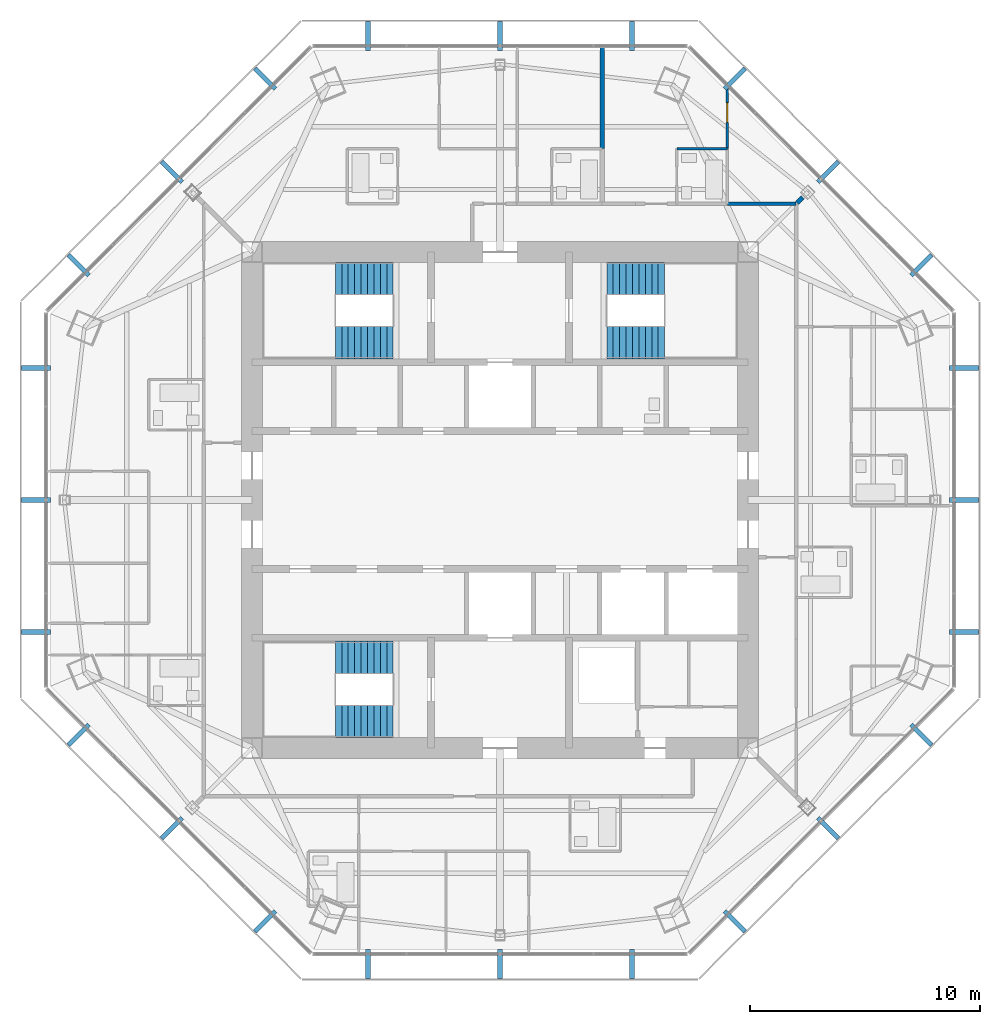
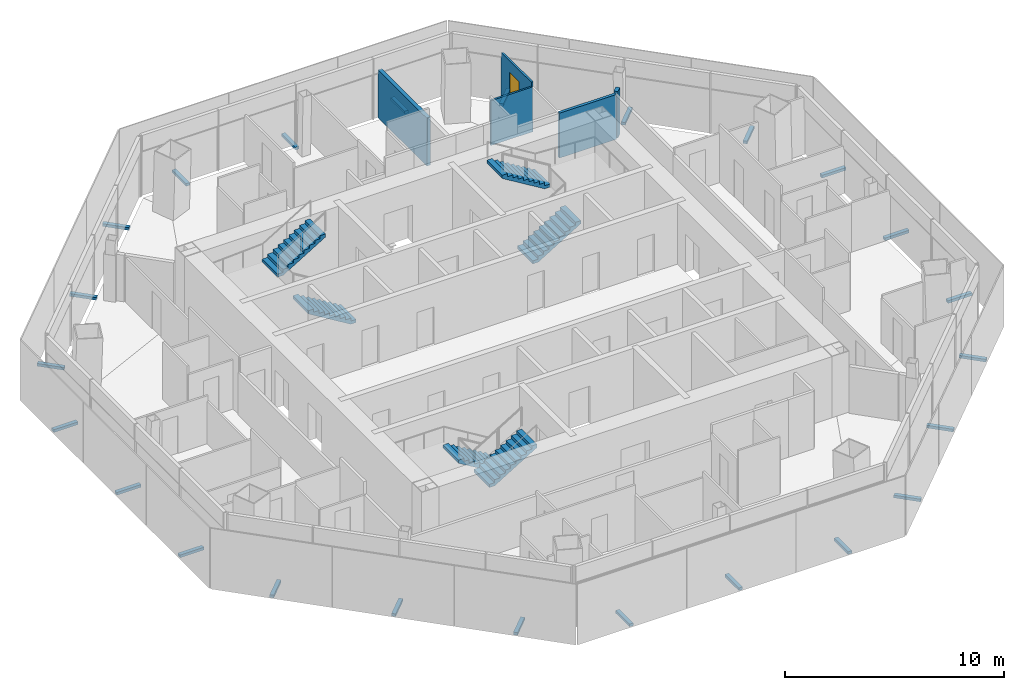
# One storey, part 12 of 15: 24 discrete accessories, 6 stair flights, 5 walls, 1 door, 1 opening, 3 elements without a shape of their own.
"""IFC4 building model written with IfcOpenShell, lengths in metres."""

from ifc_helpers import new_model, si_unit, direction, frame, frame_2d, origin, origin_2d, place, context, subcontext, project, spatial, polyline, rectangle, outline, extrude, source, transform, mapped, material, layer, layer_set, type_object, type_shapes, element, fill, aggregate, save


model = new_model("IFC4")

# Units and contexts
model_context = context("Model", 3, precision=1e-05, world=origin(), true_north=direction((0.0, 1.0)))
body_context = subcontext(model_context, "Body", "Model", "MODEL_VIEW")
ifc_project = project(units=[si_unit("LENGTHUNIT", "METRE"), si_unit("AREAUNIT", "SQUARE_METRE"), si_unit("VOLUMEUNIT", "CUBIC_METRE"), si_unit("PLANEANGLEUNIT", "RADIAN"), si_unit("MASSUNIT", "GRAM", prefix="KILO")], contexts=[model_context])

# Site, building, storey
site_placement = place(None, origin())
site = spatial("IfcSite", under=ifc_project, at=site_placement, CompositionType="ELEMENT")
building_placement = place(site_placement, origin())
building = spatial("IfcBuilding", under=site, at=building_placement, Name="Mashrafa Tower", CompositionType="ELEMENT")
storey_placement = place(building_placement, frame((0.0, 0.0, 291.199951171875)))
storey = spatial("IfcBuildingStorey", under=building, at=storey_placement, Name="L71", CompositionType="ELEMENT", Elevation=291.199951171875)

# Walls
ifc_material_1 = material(Name="Gypsum board on steel studs", Category="steel")
ifc_layer_1 = layer(ifc_material_1, 0.199951171875)
ifc_layer_set_1 = layer_set([ifc_layer_1], Name="Acoustic partition 200 1 hr")
wall_type_1 = type_object("IfcWallType", Name="Acoustic partition 200 1 hr", PredefinedType="PARTITIONING", material=ifc_layer_set_1)
wall_1_placement = place(storey_placement, frame((13.17822265625, 13.17822265625, 0.0), z_axis=(0.0, 0.0, 1.0), x_axis=(-0.707106781187, -0.707106781187, 0.0)))
element("IfcWall", 1, at=wall_1_placement, inside=storey, type_object=wall_type_1, Name="Acoustic wall L71-046", PredefinedType="PARTITIONING", context=body_context, shape_type="SweptSolid", body=[
    extrude(rectangle(XDim=0.34033203125, YDim=0.199951171875, at=frame_2d((0.170166015625, 0.0))), origin(), (0.0, 0.0, 1.0), 2.590576171875),
])
wall_2_placement = place(storey_placement, frame((4.449951171875, 19.759033203125, 0.0), z_axis=(0.0, 0.0, 1.0), x_axis=(0.0, -1.0, 0.0)))
element("IfcWall", 2, at=wall_2_placement, inside=storey, type_object=wall_type_1, Name="Acoustic wall L71-054", PredefinedType="PARTITIONING", context=body_context, shape_type="SweptSolid", body=[
    extrude(rectangle(XDim=4.458984375, YDim=0.199951171875, at=frame_2d((2.2294921875, 0.0))), origin(), (0.0, 0.0, 1.0), 2.661865234375),
])
ifc_material_2 = material(Name="Gypsum board on steel studs", Category="steel")
ifc_layer_2 = layer(ifc_material_2, 0.14990234375)
ifc_layer_set_2 = layer_set([ifc_layer_2], Name="Corridor partition 150 1 hr")
wall_type_2 = type_object("IfcWallType", Name="Corridor partition 150 1 hr", PredefinedType="PARTITIONING", material=ifc_layer_set_2)
wall_3_placement = place(storey_placement, frame((12.89990234375, 12.89990234375, 0.0), z_axis=(0.0, 0.0, 1.0), x_axis=(-1.0, 0.0, 0.0)))
element("IfcWall", 3, at=wall_3_placement, inside=storey, type_object=wall_type_2, Name="Corridor wall L71-004", PredefinedType="PARTITIONING", context=body_context, shape_type="SweptSolid", body=[
    extrude(rectangle(XDim=3.0009765625, YDim=0.14990234375, at=frame_2d((1.50048828125, 0.0))), origin(), (0.0, 0.0, 1.0), 2.49658203125),
])

# Wall, opening, door
ifc_material_3 = material(Name="Gypsum board on steel studs", Category="steel")
ifc_layer_3 = layer(ifc_material_3, 0.10009765625)
ifc_layer_set_3 = layer_set([ifc_layer_3], Name="Partition 100")
wall_type_3 = type_object("IfcWallType", Name="Partition 100", PredefinedType="PARTITIONING", material=ifc_layer_set_3)
wall_4_placement = place(storey_placement, frame((9.89990234375, 18.047119140625, 0.0), z_axis=(0.0, 0.0, 1.0), x_axis=(0.0, -1.0, 0.0)))
wall_4 = element("IfcWall", 4, at=wall_4_placement, inside=storey, type_object=wall_type_3, Name="Partition wall L71-050", PredefinedType="PARTITIONING", context=body_context, shape_type="SweptSolid", body=[
    extrude(rectangle(XDim=2.748046875, YDim=0.10009765625, at=frame_2d((1.3740234375, 0.0))), origin(), (0.0, 0.0, 1.0), 2.740478515625),
])
opening_placement = place(wall_4_placement, frame((0.752197265625, 0.0, 0.0)))
opening = element("IfcOpeningElement", 5, at=opening_placement, cuts=wall_4, Name="Opening 71.009", PredefinedType="OPENING", context=body_context, shape_type="SweptSolid", body=[
    extrude(rectangle(XDim=0.85009765625, YDim=2.10009765625, at=frame_2d((0.425048828125, 1.050048828125))), frame((0.0, 0.06005859375, 0.0), z_axis=(0.0, -1.0, 0.0), x_axis=(1.0, 0.0, 0.0)), (0.0, 0.0, 1.0), 0.1201171875),
])
ifc_material_4 = material(Name="Timber door", Category="wood")
door_type = type_object("IfcDoorType", Name="Bedroom door 850 x 2100", OperationType="USERDEFINED", PredefinedType="DOOR", material=ifc_material_4)
door_placement = place(opening_placement, origin())
door = element("IfcDoor", 6, at=door_placement, inside=storey, type_object=door_type, Name="Apartment 7102 Bedroom 1 door", OperationType="SINGLE_SWING_LEFT", OverallHeight=2.10009765625, OverallWidth=0.85009765625, PredefinedType="DOOR", context=body_context, shape_type="SweptSolid", body=[
    extrude(rectangle(XDim=0.85009765625, YDim=2.10009765625, at=frame_2d((0.425048828125, 1.050048828125))), frame((0.0, 0.02490234375, 0.0), z_axis=(0.0, -1.0, 0.0), x_axis=(1.0, 0.0, 0.0)), (0.0, 0.0, 1.0), 0.050048828125),
])
fill(opening, door)

# Wall
wall_5_placement = place(storey_placement, frame((9.89990234375, 15.300048828125, 0.0), z_axis=(0.0, 0.0, 1.0), x_axis=(-1.0, 0.0, 0.0)))
element("IfcWall", 7, at=wall_5_placement, inside=storey, type_object=wall_type_3, Name="Partition wall L71-051", PredefinedType="PARTITIONING", context=body_context, shape_type="SweptSolid", body=[
    extrude(rectangle(XDim=2.199951171875, YDim=0.10009765625, at=frame_2d((1.10009765625, 0.0))), origin(), (0.0, 0.0, 1.0), 2.49658203125),
])

# Stair, stair flights
ifc_material_5 = material(Name="Exit stair 1400")
stair_type = type_object("IfcStairType", Name="Exit stair 1400", PredefinedType="HALF_TURN_STAIR", material=ifc_material_5)
stair_1_placement = place(storey_placement, origin())
stair_1 = element("IfcStair", 8, at=stair_1_placement, inside=storey, type_object=stair_type, Name="Stair S1 L71", PredefinedType="HALF_TURN_STAIR")
ifc_material_6 = material(Name="Concrete C32/40", Category="concrete")
stair_flight_type = type_object("IfcStairFlightType", Name="Stair flight 1400", PredefinedType="STRAIGHT", material=ifc_material_6)
stair_flight_1_placement = place(storey_placement, frame((-4.64990234375, 6.85009765625, 0.0), z_axis=(0.0, 0.0, 1.0), x_axis=(-1.0, 0.0, 0.0)))
stair_flight_1 = element("IfcStairFlight", 9, at=stair_flight_1_placement, type_object=stair_flight_type, Name="S1 flight 1", NumberOfRisers=10, NumberOfTreads=9, PredefinedType="STRAIGHT", RiserHeight=0.17, TreadLength=0.28, context=body_context, shape_type="SweptSolid", body=[
    extrude(outline(polyline([(0.0, 0.0), (0.0, 0.169921875), (0.280029296875, 0.169921875), (0.280029296875, 0.340087890625), (0.56005859375, 0.340087890625), (0.56005859375, 0.510009765625), (0.840087890625, 0.510009765625), (0.840087890625, 0.679931640625), (1.1201171875, 0.679931640625), (1.1201171875, 0.85009765625), (1.39990234375, 0.85009765625), (1.39990234375, 1.02001953125), (1.679931640625, 1.02001953125), (1.679931640625, 1.18994140625), (1.9599609375, 1.18994140625), (1.9599609375, 1.360107421875), (2.239990234375, 1.360107421875), (2.239990234375, 1.530029296875), (2.52001953125, 1.530029296875), (2.52001953125, 1.699951171875), (2.52001953125, 1.354736328125), (0.288818359375, 0.0), (0.0, 0.0)])), frame((0.0, 0.699951171875, 0.0), z_axis=(0.0, -1.0, 0.0), x_axis=(1.0, 0.0, 0.0)), (0.0, 0.0, 1.0), 1.39990234375),
])
stair_flight_2_placement = place(storey_placement, frame((-7.169921875, 9.64990234375, 1.699951171875), z_axis=(0.0, 0.0, 1.0), x_axis=(1.0, 0.0, 0.0)))
stair_flight_2 = element("IfcStairFlight", 10, at=stair_flight_2_placement, type_object=stair_flight_type, Name="S1 flight 2", NumberOfRisers=10, NumberOfTreads=9, PredefinedType="STRAIGHT", RiserHeight=0.17, TreadLength=0.28, context=body_context, shape_type="SweptSolid", body=[
    extrude(outline(polyline([(0.0, 0.0), (0.0, 0.169921875), (0.280029296875, 0.169921875), (0.280029296875, 0.340087890625), (0.56005859375, 0.340087890625), (0.56005859375, 0.510009765625), (0.840087890625, 0.510009765625), (0.840087890625, 0.679931640625), (1.1201171875, 0.679931640625), (1.1201171875, 0.85009765625), (1.39990234375, 0.85009765625), (1.39990234375, 1.02001953125), (1.679931640625, 1.02001953125), (1.679931640625, 1.18994140625), (1.9599609375, 1.18994140625), (1.9599609375, 1.360107421875), (2.239990234375, 1.360107421875), (2.239990234375, 1.530029296875), (2.52001953125, 1.530029296875), (2.52001953125, 1.699951171875), (2.52001953125, 1.354736328125), (0.288818359375, 0.0), (0.0, 0.0)])), frame((0.0, 0.699951171875, 0.0), z_axis=(0.0, -1.0, 0.0), x_axis=(1.0, 0.0, 0.0)), (0.0, 0.0, 1.0), 1.39990234375),
])
aggregate(stair_1, [stair_flight_1, stair_flight_2])

stair_2_placement = place(storey_placement, origin())
stair_2 = element("IfcStair", 11, at=stair_2_placement, inside=storey, type_object=stair_type, Name="Stair S2 L71", PredefinedType="HALF_TURN_STAIR")
stair_flight_3_placement = place(storey_placement, frame((4.64990234375, 6.85009765625, 0.0), z_axis=(0.0, 0.0, 1.0), x_axis=(1.0, 0.0, 0.0)))
stair_flight_3 = element("IfcStairFlight", 12, at=stair_flight_3_placement, type_object=stair_flight_type, Name="S2 flight 1", NumberOfRisers=10, NumberOfTreads=9, PredefinedType="STRAIGHT", RiserHeight=0.17, TreadLength=0.28, context=body_context, shape_type="SweptSolid", body=[
    extrude(outline(polyline([(0.0, 0.0), (0.0, 0.169921875), (0.280029296875, 0.169921875), (0.280029296875, 0.340087890625), (0.56005859375, 0.340087890625), (0.56005859375, 0.510009765625), (0.840087890625, 0.510009765625), (0.840087890625, 0.679931640625), (1.1201171875, 0.679931640625), (1.1201171875, 0.85009765625), (1.39990234375, 0.85009765625), (1.39990234375, 1.02001953125), (1.679931640625, 1.02001953125), (1.679931640625, 1.18994140625), (1.9599609375, 1.18994140625), (1.9599609375, 1.360107421875), (2.239990234375, 1.360107421875), (2.239990234375, 1.530029296875), (2.52001953125, 1.530029296875), (2.52001953125, 1.699951171875), (2.52001953125, 1.354736328125), (0.288818359375, 0.0), (0.0, 0.0)])), frame((0.0, 0.699951171875, 0.0), z_axis=(0.0, -1.0, 0.0), x_axis=(1.0, 0.0, 0.0)), (0.0, 0.0, 1.0), 1.39990234375),
])
stair_flight_4_placement = place(storey_placement, frame((7.169921875, 9.64990234375, 1.699951171875), z_axis=(0.0, 0.0, 1.0), x_axis=(-1.0, 0.0, 0.0)))
stair_flight_4 = element("IfcStairFlight", 13, at=stair_flight_4_placement, type_object=stair_flight_type, Name="S2 flight 2", NumberOfRisers=10, NumberOfTreads=9, PredefinedType="STRAIGHT", RiserHeight=0.17, TreadLength=0.28, context=body_context, shape_type="SweptSolid", body=[
    extrude(outline(polyline([(0.0, 0.0), (0.0, 0.169921875), (0.280029296875, 0.169921875), (0.280029296875, 0.340087890625), (0.56005859375, 0.340087890625), (0.56005859375, 0.510009765625), (0.840087890625, 0.510009765625), (0.840087890625, 0.679931640625), (1.1201171875, 0.679931640625), (1.1201171875, 0.85009765625), (1.39990234375, 0.85009765625), (1.39990234375, 1.02001953125), (1.679931640625, 1.02001953125), (1.679931640625, 1.18994140625), (1.9599609375, 1.18994140625), (1.9599609375, 1.360107421875), (2.239990234375, 1.360107421875), (2.239990234375, 1.530029296875), (2.52001953125, 1.530029296875), (2.52001953125, 1.699951171875), (2.52001953125, 1.354736328125), (0.288818359375, 0.0), (0.0, 0.0)])), frame((0.0, 0.699951171875, 0.0), z_axis=(0.0, -1.0, 0.0), x_axis=(1.0, 0.0, 0.0)), (0.0, 0.0, 1.0), 1.39990234375),
])
aggregate(stair_2, [stair_flight_3, stair_flight_4])

stair_3_placement = place(storey_placement, origin())
stair_3 = element("IfcStair", 14, at=stair_3_placement, inside=storey, type_object=stair_type, Name="Stair S3 L71", PredefinedType="HALF_TURN_STAIR")
stair_flight_5_placement = place(storey_placement, frame((-4.64990234375, -6.85009765625, 0.0), z_axis=(0.0, 0.0, 1.0), x_axis=(-1.0, 0.0, 0.0)))
stair_flight_5 = element("IfcStairFlight", 15, at=stair_flight_5_placement, type_object=stair_flight_type, Name="S3 flight 1", NumberOfRisers=10, NumberOfTreads=9, PredefinedType="STRAIGHT", RiserHeight=0.17, TreadLength=0.28, context=body_context, shape_type="SweptSolid", body=[
    extrude(outline(polyline([(0.0, 0.0), (0.0, 0.169921875), (0.280029296875, 0.169921875), (0.280029296875, 0.340087890625), (0.56005859375, 0.340087890625), (0.56005859375, 0.510009765625), (0.840087890625, 0.510009765625), (0.840087890625, 0.679931640625), (1.1201171875, 0.679931640625), (1.1201171875, 0.85009765625), (1.39990234375, 0.85009765625), (1.39990234375, 1.02001953125), (1.679931640625, 1.02001953125), (1.679931640625, 1.18994140625), (1.9599609375, 1.18994140625), (1.9599609375, 1.360107421875), (2.239990234375, 1.360107421875), (2.239990234375, 1.530029296875), (2.52001953125, 1.530029296875), (2.52001953125, 1.699951171875), (2.52001953125, 1.354736328125), (0.288818359375, 0.0), (0.0, 0.0)])), frame((0.0, 0.699951171875, 0.0), z_axis=(0.0, -1.0, 0.0), x_axis=(1.0, 0.0, 0.0)), (0.0, 0.0, 1.0), 1.39990234375),
])
stair_flight_6_placement = place(storey_placement, frame((-7.169921875, -9.64990234375, 1.699951171875), z_axis=(0.0, 0.0, 1.0), x_axis=(1.0, 0.0, 0.0)))
stair_flight_6 = element("IfcStairFlight", 16, at=stair_flight_6_placement, type_object=stair_flight_type, Name="S3 flight 2", NumberOfRisers=10, NumberOfTreads=9, PredefinedType="STRAIGHT", RiserHeight=0.17, TreadLength=0.28, context=body_context, shape_type="SweptSolid", body=[
    extrude(outline(polyline([(0.0, 0.0), (0.0, 0.169921875), (0.280029296875, 0.169921875), (0.280029296875, 0.340087890625), (0.56005859375, 0.340087890625), (0.56005859375, 0.510009765625), (0.840087890625, 0.510009765625), (0.840087890625, 0.679931640625), (1.1201171875, 0.679931640625), (1.1201171875, 0.85009765625), (1.39990234375, 0.85009765625), (1.39990234375, 1.02001953125), (1.679931640625, 1.02001953125), (1.679931640625, 1.18994140625), (1.9599609375, 1.18994140625), (1.9599609375, 1.360107421875), (2.239990234375, 1.360107421875), (2.239990234375, 1.530029296875), (2.52001953125, 1.530029296875), (2.52001953125, 1.699951171875), (2.52001953125, 1.354736328125), (0.288818359375, 0.0), (0.0, 0.0)])), frame((0.0, 0.699951171875, 0.0), z_axis=(0.0, -1.0, 0.0), x_axis=(1.0, 0.0, 0.0)), (0.0, 0.0, 1.0), 1.39990234375),
])
aggregate(stair_3, [stair_flight_5, stair_flight_6])

# Discrete accessories
ifc_material_7 = material(Name="Stainless steel screen bracket", Category="steel")
discrete_accessory_type = type_object("IfcDiscreteAccessoryType", Name="Screen support bracket 200 x 150", PredefinedType="BRACKET", material=ifc_material_7)
shared_shape = source(origin(), body_context, "Body", "SweptSolid", [
    extrude(rectangle(XDim=0.199951171875, YDim=1.27001953125, at=origin_2d()), origin(), (0.0, 0.0, 1.0), 0.14990234375),
])
type_shapes(discrete_accessory_type, [shared_shape])
for number, where, z_axis, x_axis, name in (
    (17, (20.212158203125, -5.75, -0.14990234375), (0.0, 0.0, 1.0), (0.0, 1.0, 0.0), "Screen support bracket L71 east 1"),
    (18, (20.212158203125, 0.0, -0.14990234375), (0.0, 0.0, 1.0), (0.0, 1.0, 0.0), "Screen support bracket L71 east 2"),
    (19, (20.212158203125, 5.75, -0.14990234375), (0.0, 0.0, 1.0), (0.0, 1.0, 0.0), "Screen support bracket L71 east 3"),
    (20, (18.358154296875, 10.22607421875, -0.14990234375), (0.0, 0.0, 1.0), (-0.707106781187, 0.707106781187, 0.0), "Screen support bracket L71 north-east 1"),
    (21, (14.2919921875, 14.2919921875, -0.14990234375), (0.0, 0.0, 1.0), (-0.707106781187, 0.707106781187, 0.0), "Screen support bracket L71 north-east 2"),
    (22, (10.22607421875, 18.358154296875, -0.14990234375), (0.0, 0.0, 1.0), (-0.707106781187, 0.707106781187, 0.0), "Screen support bracket L71 north-east 3"),
    (23, (5.75, 20.212158203125, -0.14990234375), (0.0, 0.0, 1.0), (-1.0, 0.0, 0.0), "Screen support bracket L71 north 1"),
    (24, (0.0, 20.212158203125, -0.14990234375), (0.0, 0.0, 1.0), (-1.0, 0.0, 0.0), "Screen support bracket L71 north 2"),
    (25, (-5.75, 20.212158203125, -0.14990234375), (0.0, 0.0, 1.0), (-1.0, 0.0, 0.0), "Screen support bracket L71 north 3"),
    (26, (-10.22607421875, 18.358154296875, -0.14990234375), (0.0, 0.0, 1.0), (-0.707106781187, -0.707106781187, 0.0), "Screen support bracket L71 north-west 1"),
    (27, (-14.2919921875, 14.2919921875, -0.14990234375), (0.0, 0.0, 1.0), (-0.707106781187, -0.707106781187, 0.0), "Screen support bracket L71 north-west 2"),
    (28, (-18.358154296875, 10.22607421875, -0.14990234375), (0.0, 0.0, 1.0), (-0.707106781187, -0.707106781187, 0.0), "Screen support bracket L71 north-west 3"),
    (29, (-20.212158203125, 5.75, -0.14990234375), (0.0, 0.0, 1.0), (0.0, -1.0, 0.0), "Screen support bracket L71 west 1"),
    (30, (-20.212158203125, 0.0, -0.14990234375), (0.0, 0.0, 1.0), (0.0, -1.0, 0.0), "Screen support bracket L71 west 2"),
    (31, (-20.212158203125, -5.75, -0.14990234375), (0.0, 0.0, 1.0), (0.0, -1.0, 0.0), "Screen support bracket L71 west 3"),
    (32, (-18.358154296875, -10.22607421875, -0.14990234375), (0.0, 0.0, 1.0), (0.707106781187, -0.707106781187, 0.0), "Screen support bracket L71 south-west 1"),
    (33, (-14.2919921875, -14.2919921875, -0.14990234375), (0.0, 0.0, 1.0), (0.707106781187, -0.707106781187, 0.0), "Screen support bracket L71 south-west 2"),
    (34, (-10.22607421875, -18.358154296875, -0.14990234375), (0.0, 0.0, 1.0), (0.707106781187, -0.707106781187, 0.0), "Screen support bracket L71 south-west 3"),
    (35, (-5.75, -20.212158203125, -0.14990234375), (0.0, 0.0, 1.0), (1.0, 0.0, 0.0), "Screen support bracket L71 south 1"),
    (36, (0.0, -20.212158203125, -0.14990234375), (0.0, 0.0, 1.0), (1.0, 0.0, 0.0), "Screen support bracket L71 south 2"),
    (37, (5.75, -20.212158203125, -0.14990234375), (0.0, 0.0, 1.0), (1.0, 0.0, 0.0), "Screen support bracket L71 south 3"),
    (38, (10.22607421875, -18.358154296875, -0.14990234375), (0.0, 0.0, 1.0), (0.707106781187, 0.707106781187, 0.0), "Screen support bracket L71 south-east 1"),
    (39, (14.2919921875, -14.2919921875, -0.14990234375), (0.0, 0.0, 1.0), (0.707106781187, 0.707106781187, 0.0), "Screen support bracket L71 south-east 2"),
    (40, (18.358154296875, -10.22607421875, -0.14990234375), (0.0, 0.0, 1.0), (0.707106781187, 0.707106781187, 0.0), "Screen support bracket L71 south-east 3"),
):
    element("IfcDiscreteAccessory", number, at=place(storey_placement, frame(where, z_axis=z_axis, x_axis=x_axis)), inside=storey, type_object=discrete_accessory_type, Name=name, PredefinedType="BRACKET", context=body_context, shape_type="MappedRepresentation", body=[
        mapped(shared_shape, transform((0.0, 0.0, 0.0))),
    ])

save(model, "model.ifc")
